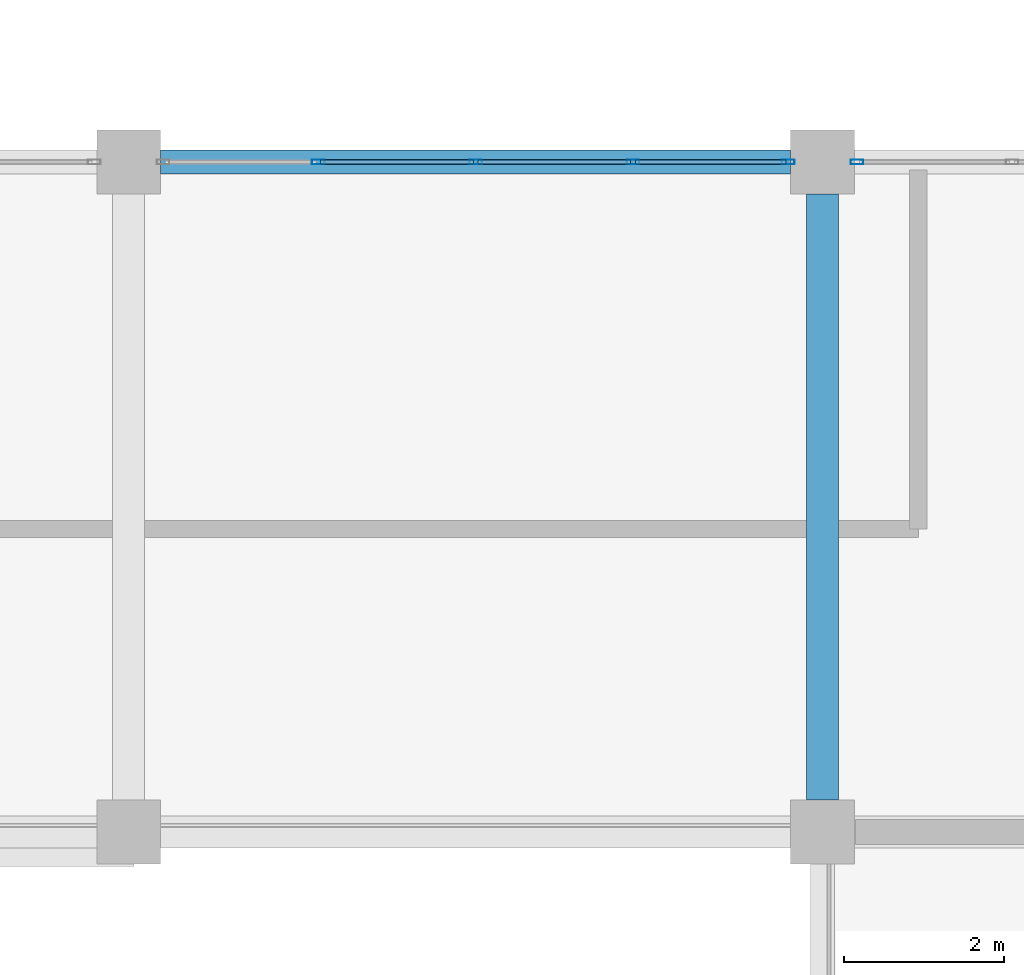
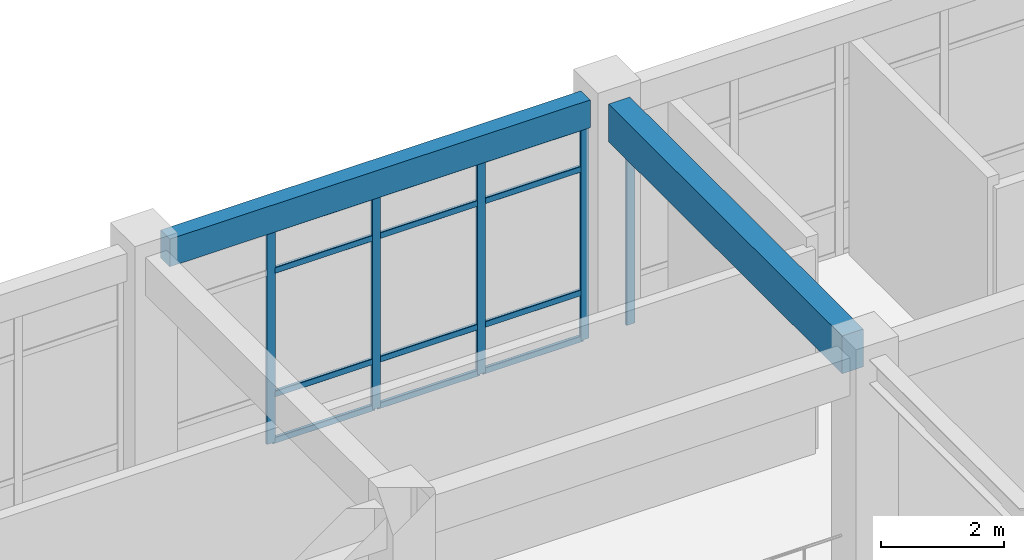
# One storey, part 49 of 96: 17 members, 2 beams, 2 elements without a shape of their own.
"""IFC4 building model written with IfcOpenShell, lengths in metres."""

from ifc_helpers import new_model, si_unit, derived_unit, direction, frame, origin, origin_2d, place, context, subcontext, project, spatial, rectangle, hollow_rectangle, extrude, material, layer, layer_set, material_profile, profile_set, type_object, element, aggregate, save


model = new_model("IFC4")

# Units and contexts
model_context = context("Model", 3, precision=1e-05, world=origin(), true_north=direction((0.0, 1.0)))
body_context = subcontext(model_context, "Body", "Model", "MODEL_VIEW")
ifc_project = project(units=[si_unit("LENGTHUNIT", "METRE"), si_unit("AREAUNIT", "SQUARE_METRE"), si_unit("VOLUMEUNIT", "CUBIC_METRE"), si_unit("PLANEANGLEUNIT", "RADIAN"), si_unit("MASSUNIT", "GRAM", prefix="KILO"), derived_unit("THERMALTRANSMITTANCEUNIT", [(si_unit("MASSUNIT", "GRAM", prefix="KILO"), 1), (si_unit("TIMEUNIT", "SECOND"), -3), (si_unit("THERMODYNAMICTEMPERATUREUNIT", "KELVIN"), -1)])], contexts=[model_context])

# Site, building, storey
site_placement = place(None, origin())
site = spatial("IfcSite", under=ifc_project, at=site_placement, CompositionType="ELEMENT")
building_placement = place(site_placement, origin())
building = spatial("IfcBuilding", under=site, at=building_placement, Name="Qinzheling Arcade Emporium", CompositionType="ELEMENT")
storey_placement = place(building_placement, frame((0.0, 0.0, 21.60009765625)))
storey = spatial("IfcBuildingStorey", under=building, at=storey_placement, Name="L05", CompositionType="ELEMENT", Elevation=21.60009765625)

# Curtain wall, members
ifc_material_1 = material(Name="Anodised aluminium and solar-control double glazing", Category="aluminium")
ifc_layer = layer(ifc_material_1, 0.159912109375, Name="Anodised aluminium and solar-control double glazing", Category="aluminium")
ifc_layer_set = layer_set([ifc_layer], Name="Anodised aluminium and solar-control double glazing")
curtain_wall_type = type_object("IfcCurtainWallType", Name="Atrium Clerestory Curtain Wall", PredefinedType="NOTDEFINED", material=ifc_layer_set)
curtain_wall_1_placement = place(storey_placement, origin())
curtain_wall_1 = element("IfcCurtainWall", 1, at=curtain_wall_1_placement, inside=storey, type_object=curtain_wall_type, Name="Curtain Wall CW-L05-323", PredefinedType="NOTDEFINED")
ifc_material_2 = material(Name="Anodised aluminium 6063-T6", Category="aluminium")
ifc_material_profile_1 = material_profile(ifc_material_2, hollow_rectangle(XDim=0.06005859375, YDim=0.159912109375, WallThickness=0.00390625, InnerFilletRadius=0.00390625, OuterFilletRadius=0.008056640625, at=origin_2d()), Name="RHS 160x60x4", Category="aluminium")
ifc_profile_set_1 = profile_set([ifc_material_profile_1], Name="Anodised aluminium 6063-T6")
member_type_1 = type_object("IfcMemberType", Name="Curtain Wall Mullion RHS160x60", PredefinedType="MULLION", material=ifc_profile_set_1)
member_1_placement = place(storey_placement, frame((80.676025390625, 73.800048828125, 0.0), z_axis=(0.0, 0.0, 1.0), x_axis=(0.0, 1.0, 0.0)))
member_1 = element("IfcMember", 2, at=member_1_placement, type_object=member_type_1, Name="CW03 mullion 2", PredefinedType="MULLION", context=body_context, shape_type="SweptSolid", body=[
    extrude(hollow_rectangle(XDim=0.06005859375, YDim=0.159912109375, WallThickness=0.00390625, InnerFilletRadius=0.00390625, OuterFilletRadius=0.008056640625, at=origin_2d()), origin(), (0.0, 0.0, 1.0), 4.2548828125),
])
member_2_placement = place(storey_placement, frame((82.64990234375, 73.800048828125, 0.0), z_axis=(0.0, 0.0, 1.0), x_axis=(0.0, 1.0, 0.0)))
member_2 = element("IfcMember", 3, at=member_2_placement, type_object=member_type_1, Name="CW03 mullion 3", PredefinedType="MULLION", context=body_context, shape_type="SweptSolid", body=[
    extrude(hollow_rectangle(XDim=0.06005859375, YDim=0.159912109375, WallThickness=0.00390625, InnerFilletRadius=0.00390625, OuterFilletRadius=0.008056640625, at=origin_2d()), origin(), (0.0, 0.0, 1.0), 4.2548828125),
])
member_3_placement = place(storey_placement, frame((84.6240234375, 73.800048828125, 0.0), z_axis=(0.0, 0.0, 1.0), x_axis=(0.0, 1.0, 0.0)))
member_3 = element("IfcMember", 4, at=member_3_placement, type_object=member_type_1, Name="CW03 mullion 4", PredefinedType="MULLION", context=body_context, shape_type="SweptSolid", body=[
    extrude(hollow_rectangle(XDim=0.06005859375, YDim=0.159912109375, WallThickness=0.00390625, InnerFilletRadius=0.00390625, OuterFilletRadius=0.008056640625, at=origin_2d()), origin(), (0.0, 0.0, 1.0), 4.2548828125),
])
member_4_placement = place(storey_placement, frame((86.568115234375, 73.800048828125, 0.0), z_axis=(0.0, 0.0, 1.0), x_axis=(0.0, 1.0, 0.0)))
member_4 = element("IfcMember", 5, at=member_4_placement, type_object=member_type_1, Name="CW03 mullion 5", PredefinedType="MULLION", context=body_context, shape_type="SweptSolid", body=[
    extrude(hollow_rectangle(XDim=0.06005859375, YDim=0.159912109375, WallThickness=0.00390625, InnerFilletRadius=0.00390625, OuterFilletRadius=0.008056640625, at=origin_2d()), origin(), (0.0, 0.0, 1.0), 4.2548828125),
])

# Curtain wall, member
curtain_wall_2_placement = place(storey_placement, origin())
curtain_wall_2 = element("IfcCurtainWall", 6, at=curtain_wall_2_placement, inside=storey, type_object=curtain_wall_type, Name="Curtain Wall CW-L05-324", PredefinedType="NOTDEFINED")
member_5_placement = place(storey_placement, frame((87.431884765625, 73.800048828125, 0.0), z_axis=(0.0, 0.0, 1.0), x_axis=(0.0, 1.0, 0.0)))
member_5 = element("IfcMember", 7, at=member_5_placement, type_object=member_type_1, Name="CW03 mullion 1", PredefinedType="MULLION", context=body_context, shape_type="SweptSolid", body=[
    extrude(hollow_rectangle(XDim=0.06005859375, YDim=0.159912109375, WallThickness=0.00390625, InnerFilletRadius=0.00390625, OuterFilletRadius=0.008056640625, at=origin_2d()), origin(), (0.0, 0.0, 1.0), 4.2548828125),
])
aggregate(curtain_wall_2, [member_5])

# Member
ifc_material_profile_2 = material_profile(ifc_material_2, hollow_rectangle(XDim=0.06005859375, YDim=0.1201171875, WallThickness=0.00390625, InnerFilletRadius=0.00390625, OuterFilletRadius=0.008056640625, at=origin_2d()), Name="RHS 120x60x4", Category="aluminium")
ifc_profile_set_2 = profile_set([ifc_material_profile_2], Name="Anodised aluminium 6063-T6")
member_type_2 = type_object("IfcMemberType", Name="Curtain Wall Transom RHS120x60", PredefinedType="USERDEFINED", material=ifc_profile_set_2)
member_6_placement = place(storey_placement, frame((80.7060546875, 73.800048828125, 0.02978515625), z_axis=(1.0, 0.0, 0.0), x_axis=(0.0, 1.0, 0.0)))
member_6 = element("IfcMember", 8, at=member_6_placement, type_object=member_type_2, Name="CW03 transom 2.1", ObjectType="TRANSOM", PredefinedType="USERDEFINED", context=body_context, shape_type="SweptSolid", body=[
    extrude(hollow_rectangle(XDim=0.06005859375, YDim=0.1201171875, WallThickness=0.00390625, InnerFilletRadius=0.00390625, OuterFilletRadius=0.008056640625, at=origin_2d()), origin(), (0.0, 0.0, 1.0), 1.9140625),
])

member_7_placement = place(storey_placement, frame((80.7060546875, 73.800048828125, 0.949951171875), z_axis=(1.0, 0.0, 0.0), x_axis=(0.0, 1.0, 0.0)))
member_7 = element("IfcMember", 9, at=member_7_placement, type_object=member_type_2, Name="CW03 transom 2.2", ObjectType="TRANSOM", PredefinedType="USERDEFINED", context=body_context, shape_type="SweptSolid", body=[
    extrude(hollow_rectangle(XDim=0.06005859375, YDim=0.1201171875, WallThickness=0.00390625, InnerFilletRadius=0.00390625, OuterFilletRadius=0.008056640625, at=origin_2d()), origin(), (0.0, 0.0, 1.0), 1.9140625),
])

member_8_placement = place(storey_placement, frame((80.7060546875, 73.800048828125, 3.40478515625), z_axis=(1.0, 0.0, 0.0), x_axis=(0.0, 1.0, 0.0)))
member_8 = element("IfcMember", 10, at=member_8_placement, type_object=member_type_2, Name="CW03 transom 2.3", ObjectType="TRANSOM", PredefinedType="USERDEFINED", context=body_context, shape_type="SweptSolid", body=[
    extrude(hollow_rectangle(XDim=0.06005859375, YDim=0.1201171875, WallThickness=0.00390625, InnerFilletRadius=0.00390625, OuterFilletRadius=0.008056640625, at=origin_2d()), origin(), (0.0, 0.0, 1.0), 1.9140625),
])

member_9_placement = place(storey_placement, frame((80.7060546875, 73.800048828125, 4.224853515625), z_axis=(1.0, 0.0, 0.0), x_axis=(0.0, 1.0, 0.0)))
member_9 = element("IfcMember", 11, at=member_9_placement, type_object=member_type_2, Name="CW03 transom 2.4", ObjectType="TRANSOM", PredefinedType="USERDEFINED", context=body_context, shape_type="SweptSolid", body=[
    extrude(hollow_rectangle(XDim=0.06005859375, YDim=0.1201171875, WallThickness=0.00390625, InnerFilletRadius=0.00390625, OuterFilletRadius=0.008056640625, at=origin_2d()), origin(), (0.0, 0.0, 1.0), 1.9140625),
])

member_10_placement = place(storey_placement, frame((82.679931640625, 73.800048828125, 0.02978515625), z_axis=(1.0, 0.0, 0.0), x_axis=(0.0, 1.0, 0.0)))
member_10 = element("IfcMember", 12, at=member_10_placement, type_object=member_type_2, Name="CW03 transom 3.1", ObjectType="TRANSOM", PredefinedType="USERDEFINED", context=body_context, shape_type="SweptSolid", body=[
    extrude(hollow_rectangle(XDim=0.06005859375, YDim=0.1201171875, WallThickness=0.00390625, InnerFilletRadius=0.00390625, OuterFilletRadius=0.008056640625, at=origin_2d()), origin(), (0.0, 0.0, 1.0), 1.9140625),
])

member_11_placement = place(storey_placement, frame((82.679931640625, 73.800048828125, 0.949951171875), z_axis=(1.0, 0.0, 0.0), x_axis=(0.0, 1.0, 0.0)))
member_11 = element("IfcMember", 13, at=member_11_placement, type_object=member_type_2, Name="CW03 transom 3.2", ObjectType="TRANSOM", PredefinedType="USERDEFINED", context=body_context, shape_type="SweptSolid", body=[
    extrude(hollow_rectangle(XDim=0.06005859375, YDim=0.1201171875, WallThickness=0.00390625, InnerFilletRadius=0.00390625, OuterFilletRadius=0.008056640625, at=origin_2d()), origin(), (0.0, 0.0, 1.0), 1.9140625),
])

member_12_placement = place(storey_placement, frame((82.679931640625, 73.800048828125, 3.40478515625), z_axis=(1.0, 0.0, 0.0), x_axis=(0.0, 1.0, 0.0)))
member_12 = element("IfcMember", 14, at=member_12_placement, type_object=member_type_2, Name="CW03 transom 3.3", ObjectType="TRANSOM", PredefinedType="USERDEFINED", context=body_context, shape_type="SweptSolid", body=[
    extrude(hollow_rectangle(XDim=0.06005859375, YDim=0.1201171875, WallThickness=0.00390625, InnerFilletRadius=0.00390625, OuterFilletRadius=0.008056640625, at=origin_2d()), origin(), (0.0, 0.0, 1.0), 1.9140625),
])

member_13_placement = place(storey_placement, frame((82.679931640625, 73.800048828125, 4.224853515625), z_axis=(1.0, 0.0, 0.0), x_axis=(0.0, 1.0, 0.0)))
member_13 = element("IfcMember", 15, at=member_13_placement, type_object=member_type_2, Name="CW03 transom 3.4", ObjectType="TRANSOM", PredefinedType="USERDEFINED", context=body_context, shape_type="SweptSolid", body=[
    extrude(hollow_rectangle(XDim=0.06005859375, YDim=0.1201171875, WallThickness=0.00390625, InnerFilletRadius=0.00390625, OuterFilletRadius=0.008056640625, at=origin_2d()), origin(), (0.0, 0.0, 1.0), 1.9140625),
])

member_14_placement = place(storey_placement, frame((84.654052734375, 73.800048828125, 0.02978515625), z_axis=(1.0, 0.0, 0.0), x_axis=(0.0, 1.0, 0.0)))
member_14 = element("IfcMember", 16, at=member_14_placement, type_object=member_type_2, Name="CW03 transom 4.1", ObjectType="TRANSOM", PredefinedType="USERDEFINED", context=body_context, shape_type="SweptSolid", body=[
    extrude(hollow_rectangle(XDim=0.06005859375, YDim=0.1201171875, WallThickness=0.00390625, InnerFilletRadius=0.00390625, OuterFilletRadius=0.008056640625, at=origin_2d()), origin(), (0.0, 0.0, 1.0), 1.884033203125),
])

member_15_placement = place(storey_placement, frame((84.654052734375, 73.800048828125, 0.949951171875), z_axis=(1.0, 0.0, 0.0), x_axis=(0.0, 1.0, 0.0)))
member_15 = element("IfcMember", 17, at=member_15_placement, type_object=member_type_2, Name="CW03 transom 4.2", ObjectType="TRANSOM", PredefinedType="USERDEFINED", context=body_context, shape_type="SweptSolid", body=[
    extrude(hollow_rectangle(XDim=0.06005859375, YDim=0.1201171875, WallThickness=0.00390625, InnerFilletRadius=0.00390625, OuterFilletRadius=0.008056640625, at=origin_2d()), origin(), (0.0, 0.0, 1.0), 1.884033203125),
])

member_16_placement = place(storey_placement, frame((84.654052734375, 73.800048828125, 3.40478515625), z_axis=(1.0, 0.0, 0.0), x_axis=(0.0, 1.0, 0.0)))
member_16 = element("IfcMember", 18, at=member_16_placement, type_object=member_type_2, Name="CW03 transom 4.3", ObjectType="TRANSOM", PredefinedType="USERDEFINED", context=body_context, shape_type="SweptSolid", body=[
    extrude(hollow_rectangle(XDim=0.06005859375, YDim=0.1201171875, WallThickness=0.00390625, InnerFilletRadius=0.00390625, OuterFilletRadius=0.008056640625, at=origin_2d()), origin(), (0.0, 0.0, 1.0), 1.884033203125),
])

member_17_placement = place(storey_placement, frame((84.654052734375, 73.800048828125, 4.224853515625), z_axis=(1.0, 0.0, 0.0), x_axis=(0.0, 1.0, 0.0)))
member_17 = element("IfcMember", 19, at=member_17_placement, type_object=member_type_2, Name="CW03 transom 4.4", ObjectType="TRANSOM", PredefinedType="USERDEFINED", context=body_context, shape_type="SweptSolid", body=[
    extrude(hollow_rectangle(XDim=0.06005859375, YDim=0.1201171875, WallThickness=0.00390625, InnerFilletRadius=0.00390625, OuterFilletRadius=0.008056640625, at=origin_2d()), origin(), (0.0, 0.0, 1.0), 1.884033203125),
])

aggregate(curtain_wall_1, [member_1, member_2, member_3, member_4, member_6, member_7, member_8, member_9, member_10, member_11, member_12, member_13, member_14, member_15, member_16, member_17])

# Beams
ifc_material_3 = material(Name="Concrete C40", Category="concrete")
ifc_material_profile_3 = material_profile(ifc_material_3, rectangle(XDim=0.39990234375, YDim=0.75, at=origin_2d()), Name="RC 400x750", Category="concrete")
ifc_profile_set_3 = profile_set([ifc_material_profile_3], Name="Concrete C40")
beam_type_1 = type_object("IfcBeamType", Name="RC Interior Tie Beam 400x750 C40", PredefinedType="BEAM", material=ifc_profile_set_3)
beam_1_placement = place(storey_placement, frame((87.0, 65.800048828125, 4.44482421875), z_axis=(0.0, 1.0, 0.0), x_axis=(-1.0, 0.0, 0.0)))
element("IfcBeam", 20, at=beam_1_placement, inside=storey, type_object=beam_type_1, Name="Beam BM-L05-Y-11-H", PredefinedType="BEAM", context=body_context, shape_type="SweptSolid", body=[
    extrude(rectangle(XDim=0.39990234375, YDim=0.75, at=origin_2d()), origin(), (0.0, 0.0, 1.0), 7.599853515625),
])
ifc_material_profile_4 = material_profile(ifc_material_3, rectangle(XDim=0.300048828125, YDim=0.550048828125, at=origin_2d()), Name="RC 300x550", Category="concrete")
ifc_profile_set_4 = profile_set([ifc_material_profile_4], Name="Concrete C40")
beam_type_2 = type_object("IfcBeamType", Name="RC Terrace Spandrel Beam 300x550 C40", PredefinedType="SPANDREL", material=ifc_profile_set_4)
beam_2_placement = place(storey_placement, frame((78.699951171875, 73.800048828125, 4.544921875), z_axis=(1.0, 0.0, 0.0), x_axis=(0.0, 1.0, 0.0)))
element("IfcBeam", 21, at=beam_2_placement, inside=storey, type_object=beam_type_2, Name="Beam BM-L05-X-J-10", PredefinedType="SPANDREL", context=body_context, shape_type="SweptSolid", body=[
    extrude(rectangle(XDim=0.300048828125, YDim=0.550048828125, at=origin_2d()), origin(), (0.0, 0.0, 1.0), 7.900146484375),
])

save(model, "model.ifc")
